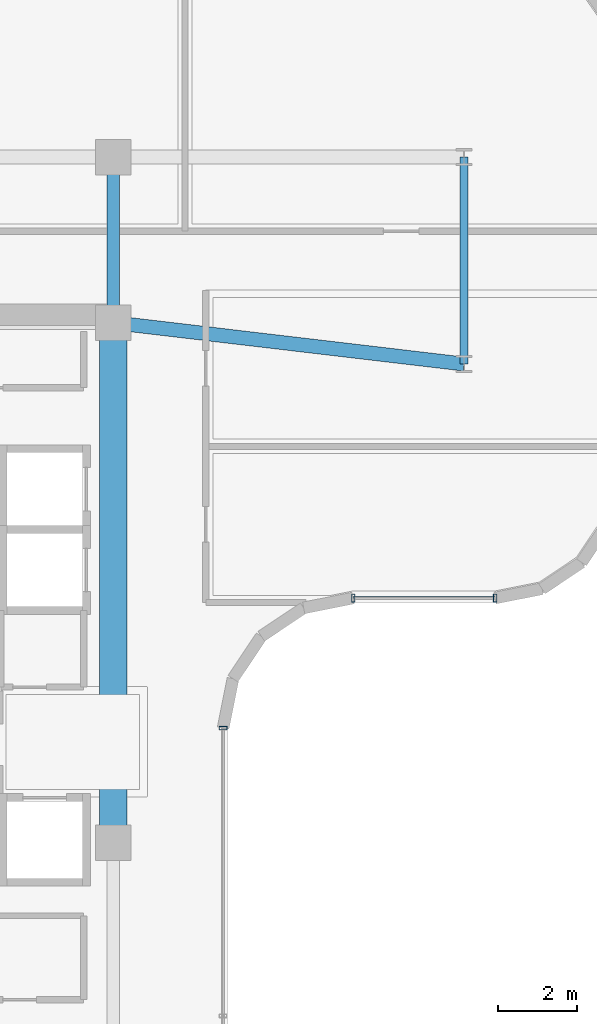
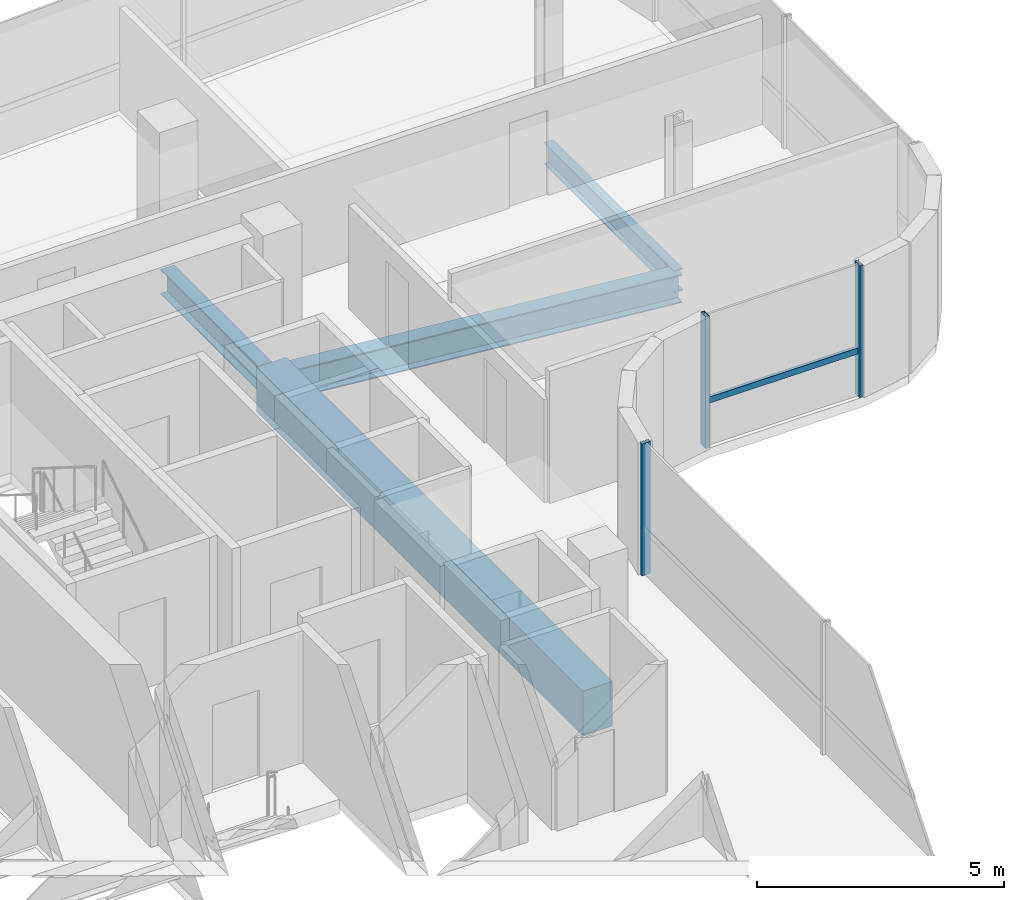
# One storey, part 10 of 21: 4 beams, 4 members, 2 elements without a shape of their own.
"""IFC4 building model written with IfcOpenShell, lengths in metres."""

from ifc_helpers import new_model, si_unit, direction, frame, origin, origin_2d, place, context, subcontext, project, spatial, rectangle, hollow_rectangle, i_section, extrude, source, transform, mapped, material, material_profile, profile_set, type_object, element, aggregate, save


model = new_model("IFC4")

# Units and contexts
model_context = context("Model", 3, precision=1e-05, world=origin(), true_north=direction((0.0, 1.0)))
body_context = subcontext(model_context, "Body", "Model", "MODEL_VIEW")
ifc_project = project(units=[si_unit("LENGTHUNIT", "METRE"), si_unit("AREAUNIT", "SQUARE_METRE"), si_unit("VOLUMEUNIT", "CUBIC_METRE"), si_unit("PLANEANGLEUNIT", "RADIAN"), si_unit("MASSUNIT", "GRAM", prefix="KILO")], contexts=[model_context])

# Site, building, storey
site_placement = place(None, origin())
site = spatial("IfcSite", under=ifc_project, at=site_placement, CompositionType="ELEMENT")
building_placement = place(site_placement, origin())
building = spatial("IfcBuilding", under=site, at=building_placement, Name="Valdorenza Pilgrim Sanctuary Tower", CompositionType="ELEMENT")
storey_placement = place(building_placement, frame((0.0, 0.0, 219.5)))
storey = spatial("IfcBuildingStorey", under=building, at=storey_placement, Name="L56", CompositionType="ELEMENT", Elevation=219.5)

# Beams
ifc_material_1 = material(Name="Concrete C50/60", Category="concrete")
ifc_material_profile_1 = material_profile(ifc_material_1, rectangle(XDim=0.699951171875, YDim=1.10009765625, at=origin_2d()), Name="RC 1100x700")
ifc_profile_set_1 = profile_set([ifc_material_profile_1], Name="Concrete C50/60")
beam_type_1 = type_object("IfcBeamType", Name="STR-BM-LNT-1100", PredefinedType="LINTEL", material=ifc_profile_set_1)
shared_shape_1 = source(origin(), body_context, "Body", "SweptSolid", [
    extrude(rectangle(XDim=0.699951171875, YDim=1.10009765625, at=origin_2d()), origin(), (0.0, 0.0, 1.0), 13.2001953125),
])
beam_1_placement = place(storey_placement, frame((-12.39990234375, -2.60009765625, -0.590087890625), z_axis=(0.0, 1.0, 0.0), x_axis=(-1.0, 0.0, 0.0)))
element("IfcBeam", 1, at=beam_1_placement, inside=storey, type_object=beam_type_1, Name="L56 Core A Coupling Lintel Girder", PredefinedType="LINTEL", context=body_context, shape_type="MappedRepresentation", body=[
    mapped(shared_shape_1, transform((0.0, 0.0, 0.0), x_axis=(1.0, 0.0, 0.0), y_axis=(0.0, 1.0, 0.0), z_axis=(0.0, 0.0, 1.0), scale=1.0)),
])
ifc_material_2 = material(Name="Steel ASTM A992 Grade 50", Category="steel")
ifc_material_profile_2 = material_profile(ifc_material_2, i_section(OverallWidth=0.323974609375, OverallDepth=0.611083984375, WebThickness=0.0126953125, FlangeThickness=0.01904296875, at=origin_2d()), Name="W24X104")
ifc_profile_set_2 = profile_set([ifc_material_profile_2], Name="Steel ASTM A992 Grade 50")
beam_type_2 = type_object("IfcBeamType", Name="STR-BM-GRD-W24B", PredefinedType="BEAM", material=ifc_profile_set_2)
shared_shape_2 = source(origin(), body_context, "Body", "SweptSolid", [
    extrude(i_section(OverallWidth=0.323974609375, OverallDepth=0.611083984375, WebThickness=0.0126953125, FlangeThickness=0.01904296875, at=origin_2d()), origin(), (0.0, 0.0, 1.0), 4.199951171875),
])
beam_2_placement = place(storey_placement, frame((-12.39990234375, 10.60009765625, -0.54541015625), z_axis=(0.0, 1.0, 0.0), x_axis=(-1.0, 0.0, 0.0)))
element("IfcBeam", 2, at=beam_2_placement, inside=storey, type_object=beam_type_2, Name="L56 Core Tie Girder CA-E-N1N2", PredefinedType="BEAM", context=body_context, shape_type="MappedRepresentation", body=[
    mapped(shared_shape_2, transform((0.0, 0.0, 0.0), x_axis=(1.0, 0.0, 0.0), y_axis=(0.0, 1.0, 0.0), z_axis=(0.0, 0.0, 1.0), scale=1.0)),
])
ifc_material_profile_3 = material_profile(ifc_material_2, i_section(OverallWidth=0.2109375, OverallDepth=0.5390625, WebThickness=0.01171875, FlangeThickness=0.018798828125, at=origin_2d()), Name="W21X73")
ifc_profile_set_3 = profile_set([ifc_material_profile_3], Name="Steel ASTM A992 Grade 50")
beam_type_3 = type_object("IfcBeamType", Name="STR-BM-SPN-W21B", PredefinedType="SPANDREL", material=ifc_profile_set_3)
shared_shape_3 = source(origin(), body_context, "Body", "SweptSolid", [
    extrude(i_section(OverallWidth=0.2109375, OverallDepth=0.5390625, WebThickness=0.01171875, FlangeThickness=0.018798828125, at=origin_2d()), origin(), (0.0, 0.0, 1.0), 5.25),
])
beam_3_placement = place(storey_placement, frame((-3.5, 9.550048828125, -0.509521484375), z_axis=(0.0, 1.0, 0.0), x_axis=(-1.0, 0.0, 0.0)))
element("IfcBeam", 3, at=beam_3_placement, inside=storey, type_object=beam_type_3, Name="L56 Floor Girder UWA-KTIE", PredefinedType="SPANDREL", context=body_context, shape_type="MappedRepresentation", body=[
    mapped(shared_shape_3, transform((0.0, 0.0, 0.0), x_axis=(1.0, 0.0, 0.0), y_axis=(0.0, 1.0, 0.0), z_axis=(0.0, 0.0, 1.0), scale=1.0)),
])
ifc_material_profile_4 = material_profile(ifc_material_2, i_section(OverallWidth=0.35595703125, OverallDepth=0.700927734375, WebThickness=0.016845703125, FlangeThickness=0.02734375, at=origin_2d()), Name="W27X161")
ifc_profile_set_4 = profile_set([ifc_material_profile_4], Name="Steel ASTM A992 Grade 50")
beam_type_4 = type_object("IfcBeamType", Name="STR-BM-GRD-W27", PredefinedType="BEAM", material=ifc_profile_set_4)
shared_shape_4 = source(origin(), body_context, "Body", "SweptSolid", [
    extrude(i_section(OverallWidth=0.35595703125, OverallDepth=0.700927734375, WebThickness=0.016845703125, FlangeThickness=0.02734375, at=origin_2d()), origin(), (0.0, 0.0, 1.0), 8.961669921875),
])
beam_4_placement = place(storey_placement, frame((-12.39990234375, 10.60009765625, -0.590576171875), z_axis=(0.993111684121, -0.117171595803, 0.0), x_axis=(0.117171595803, 0.993111684121, 0.0)))
element("IfcBeam", 4, at=beam_4_placement, inside=storey, type_object=beam_type_4, Name="L56 Floor Girder UWA-KG1", PredefinedType="BEAM", context=body_context, shape_type="MappedRepresentation", body=[
    mapped(shared_shape_4, transform((0.0, 0.0, 0.0), x_axis=(1.0, 0.0, 0.0), y_axis=(0.0, 1.0, 0.0), z_axis=(0.0, 0.0, 1.0), scale=1.0)),
])

# Curtain wall, members
ifc_material_3 = material(Name="Curtain-wall IGU glazing", Category="glass")
curtain_wall_type = type_object("IfcCurtainWallType", Name="CW-SYS-02", PredefinedType="NOTDEFINED", material=ifc_material_3)
curtain_wall_1_placement = place(storey_placement, origin())
curtain_wall_1 = element("IfcCurtainWall", 5, at=curtain_wall_1_placement, inside=storey, type_object=curtain_wall_type, Name="L56 Curtain Wall CW-L56-1-16", PredefinedType="NOTDEFINED")
ifc_material_4 = material(Name="Anodised aluminium AW-6060", Category="aluminium")
ifc_material_profile_5 = material_profile(ifc_material_4, hollow_rectangle(XDim=0.074951171875, YDim=0.14990234375, WallThickness=0.00390625, at=origin_2d()), Name="ALU-T 150x75x4")
ifc_profile_set_5 = profile_set([ifc_material_profile_5], Name="Anodised aluminium AW-6060")
member_type_1 = type_object("IfcMemberType", Name="CW-TRN-02", PredefinedType="USERDEFINED", material=ifc_profile_set_5)
shared_shape_5 = source(origin(), body_context, "Body", "SweptSolid", [
    extrude(hollow_rectangle(XDim=0.074951171875, YDim=0.14990234375, WallThickness=0.00390625, at=origin_2d()), origin(), (0.0, 0.0, 1.0), 3.60009765625),
])
member_1_placement = place(storey_placement, frame((-2.710693359375, 3.610107421875, 1.1201171875), z_axis=(-1.0, 0.0, 0.0), x_axis=(0.0, -1.0, 0.0)))
member_1 = element("IfcMember", 6, at=member_1_placement, type_object=member_type_1, Name="CW-L56-1-16 Transom 1", ObjectType="TRANSOM", PredefinedType="USERDEFINED", context=body_context, shape_type="MappedRepresentation", body=[
    mapped(shared_shape_5, transform((0.0, 0.0, 0.0), x_axis=(1.0, 0.0, 0.0), y_axis=(0.0, 1.0, 0.0), z_axis=(0.0, 0.0, 1.0), scale=1.0)),
])
ifc_material_profile_6 = material_profile(ifc_material_4, hollow_rectangle(XDim=0.0849609375, YDim=0.199951171875, WallThickness=0.0048828125, at=origin_2d()), Name="ALU-M 200x85x5")
ifc_profile_set_6 = profile_set([ifc_material_profile_6], Name="Anodised aluminium AW-6060")
member_type_2 = type_object("IfcMemberType", Name="CW-MUL-02", PredefinedType="MULLION", material=ifc_profile_set_6)
shared_shape_6 = source(origin(), body_context, "Body", "SweptSolid", [
    extrude(hollow_rectangle(XDim=0.0849609375, YDim=0.199951171875, WallThickness=0.0048828125, at=origin_2d()), origin(), (0.0, 0.0, 1.0), 3.260009765625),
])
member_2_placement = place(storey_placement, frame((-2.710693359375, 3.610107421875, 0.0), z_axis=(0.0, 0.0, 1.0), x_axis=(-1.0, 0.0, 0.0)))
member_2 = element("IfcMember", 7, at=member_2_placement, type_object=member_type_2, Name="CW-L56-1-16 Mullion 1", PredefinedType="MULLION", context=body_context, shape_type="MappedRepresentation", body=[
    mapped(shared_shape_6, transform((0.0, 0.0, 0.0), x_axis=(1.0, 0.0, 0.0), y_axis=(0.0, 1.0, 0.0), z_axis=(0.0, 0.0, 1.0), scale=1.0)),
])
member_3_placement = place(storey_placement, frame((-6.310791015625, 3.610107421875, 0.0), z_axis=(0.0, 0.0, 1.0), x_axis=(-1.0, 0.0, 0.0)))
member_3 = element("IfcMember", 8, at=member_3_placement, type_object=member_type_2, Name="CW-L56-1-16 Mullion 2", PredefinedType="MULLION", context=body_context, shape_type="MappedRepresentation", body=[
    mapped(shared_shape_6, transform((0.0, 0.0, 0.0), x_axis=(1.0, 0.0, 0.0), y_axis=(0.0, 1.0, 0.0), z_axis=(0.0, 0.0, 1.0), scale=1.0)),
])
aggregate(curtain_wall_1, [member_2, member_3, member_1])

# Curtain wall, member
curtain_wall_2_placement = place(storey_placement, origin())
curtain_wall_2 = element("IfcCurtainWall", 9, at=curtain_wall_2_placement, inside=storey, type_object=curtain_wall_type, Name="L56 Curtain Wall CW-L56-1-21", PredefinedType="NOTDEFINED")
member_4_placement = place(storey_placement, frame((-9.610107421875, 0.310791015625, 0.0), z_axis=(0.0, 0.0, 1.0), x_axis=(0.0, -1.0, 0.0)))
member_4 = element("IfcMember", 10, at=member_4_placement, type_object=member_type_2, Name="CW-L56-1-21 Mullion 1", PredefinedType="MULLION", context=body_context, shape_type="MappedRepresentation", body=[
    mapped(shared_shape_6, transform((0.0, 0.0, 0.0), x_axis=(1.0, 0.0, 0.0), y_axis=(0.0, 1.0, 0.0), z_axis=(0.0, 0.0, 1.0), scale=1.0)),
])
aggregate(curtain_wall_2, [member_4])

save(model, "model.ifc")
